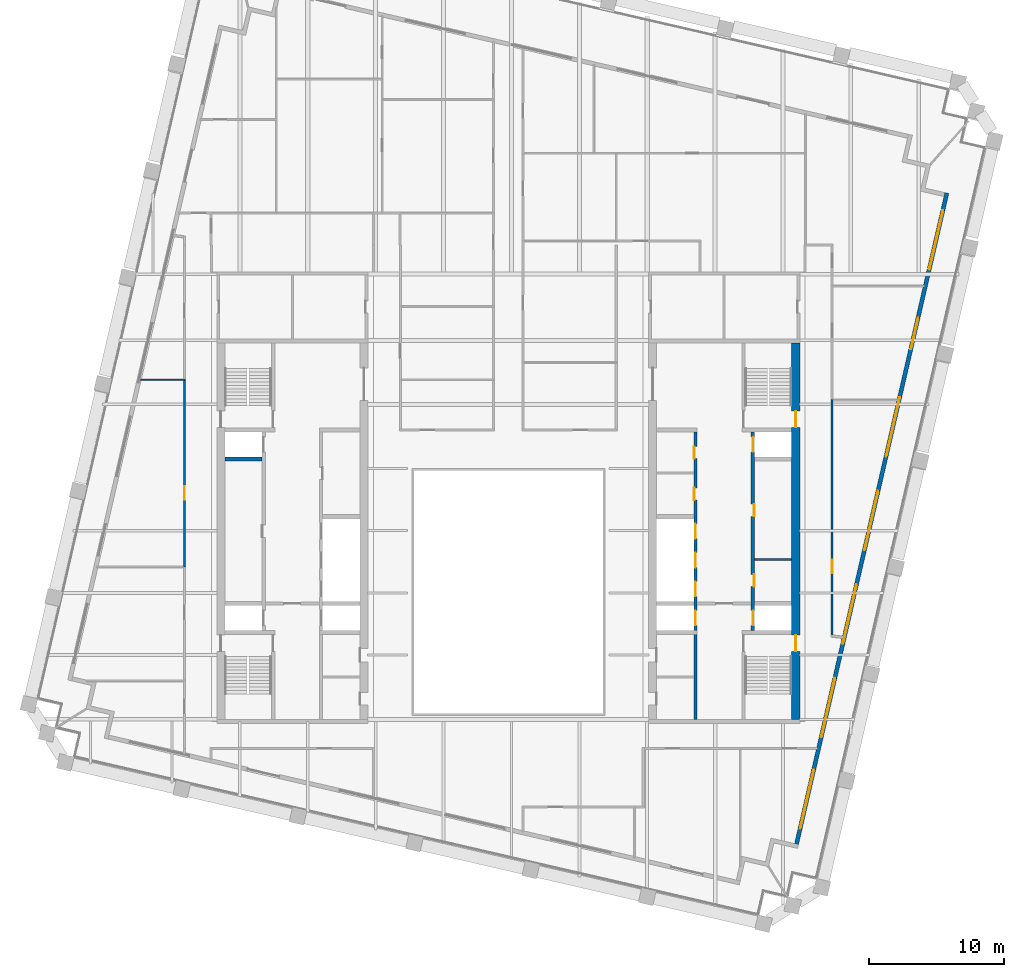
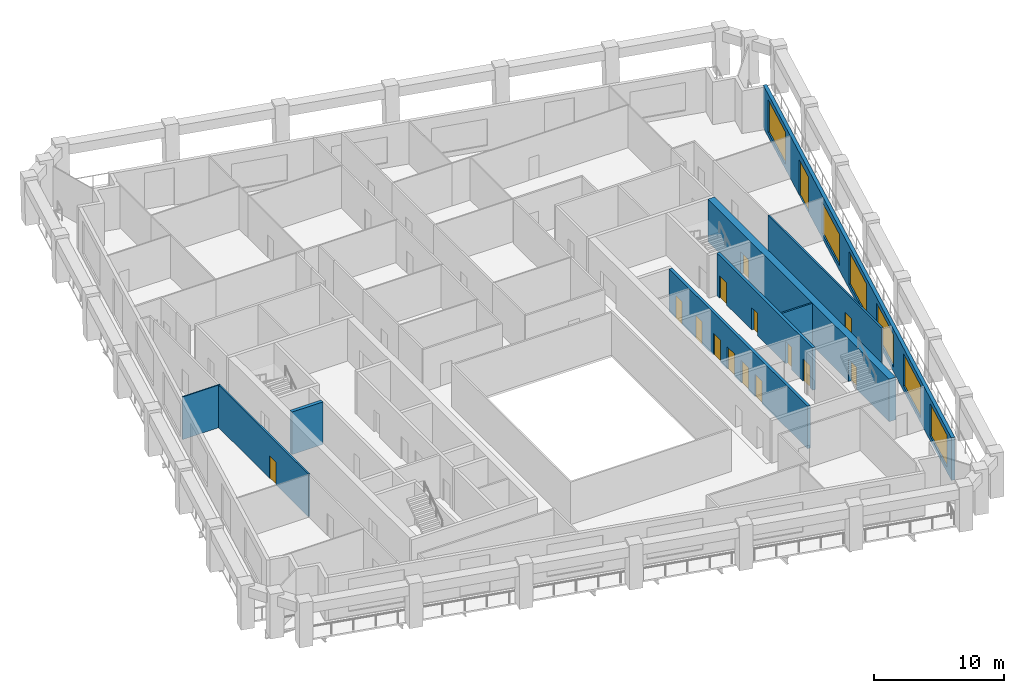
# One storey, part 6 of 11: 15 doors, 9 walls, 6 windows, 21 openings.
"""IFC4 building model written with IfcOpenShell, lengths in metres."""

from ifc_helpers import new_model, si_unit, direction, frame, frame_2d, origin, place, context, subcontext, project, spatial, rectangle, extrude, material, layer, layer_set, type_object, element, fill, save


model = new_model("IFC4")

# Units and contexts
model_context = context("Model", 3, precision=1e-05, world=origin(), true_north=direction((0.0, 1.0)))
body_context = subcontext(model_context, "Body", "Model", "MODEL_VIEW")
ifc_project = project(units=[si_unit("LENGTHUNIT", "METRE"), si_unit("AREAUNIT", "SQUARE_METRE"), si_unit("VOLUMEUNIT", "CUBIC_METRE"), si_unit("PLANEANGLEUNIT", "RADIAN"), si_unit("MASSUNIT", "GRAM", prefix="KILO")], contexts=[model_context])

# Site, building, storey
site_placement = place(None, origin())
site = spatial("IfcSite", under=ifc_project, at=site_placement, CompositionType="ELEMENT")
building_placement = place(site_placement, origin())
building = spatial("IfcBuilding", under=site, at=building_placement, Name="Ogive Exchange Tower", CompositionType="ELEMENT")
storey_placement = place(building_placement, frame((0.0, 0.0, 259.800048828125)))
storey = spatial("IfcBuildingStorey", under=building, at=storey_placement, Name="L56", CompositionType="ELEMENT", Elevation=259.800048828125)

# Wall
ifc_material_1 = material(Name="Gypsum board partition")
ifc_layer_1 = layer(ifc_material_1, 0.14990234375)
ifc_layer_set_1 = layer_set([ifc_layer_1], Name="Core room partition 150 gypsum")
wall_type_1 = type_object("IfcWallType", Name="Core room partition 150 gypsum", PredefinedType="PARTITIONING", material=ifc_layer_set_1)
wall_1_placement = place(storey_placement, frame((18.25, 9.39990234375, 0.0), z_axis=(0.0, 0.0, 1.0), x_axis=(1.0, 0.0, 0.0)))
element("IfcWall", 1, at=wall_1_placement, inside=storey, type_object=wall_type_1, Name="E row A bay partition 1-1", PredefinedType="PARTITIONING", context=body_context, shape_type="SweptSolid", body=[
    extrude(rectangle(XDim=2.75, YDim=0.14990234375, at=frame_2d((1.375, 0.0))), origin(), (0.0, 0.0, 1.0), 4.0),
])

# Wall, opening, door
ifc_material_2 = material(Name="Fire partition EI 60 150")
ifc_layer_2 = layer(ifc_material_2, 0.14990234375)
ifc_layer_set_2 = layer_set([ifc_layer_2], Name="Fire partition EI 60 150")
wall_type_2 = type_object("IfcWallType", Name="Fire partition EI 60 150", PredefinedType="PARTITIONING", material=ifc_layer_set_2)
wall_2_placement = place(storey_placement, frame((-24.0, 8.860107421875, 0.0), z_axis=(0.0, 0.0, 1.0), x_axis=(0.0, 1.0, 0.0)))
wall_2 = element("IfcWall", 2, at=wall_2_placement, inside=storey, type_object=wall_type_2, Name="L56-PWL-007", PredefinedType="PARTITIONING", context=body_context, shape_type="SweptSolid", body=[
    extrude(rectangle(XDim=13.809814453125, YDim=0.14990234375, at=frame_2d((6.90478515625, 0.0))), origin(), (0.0, 0.0, 1.0), 4.0),
])
opening_1_placement = place(wall_2_placement, frame((4.9599609375, 0.0, 0.0)))
opening_1 = element("IfcOpeningElement", 3, at=opening_1_placement, cuts=wall_2, Name="Opening L56-I01", PredefinedType="OPENING", context=body_context, shape_type="SweptSolid", body=[
    extrude(rectangle(XDim=1.0, YDim=2.10009765625, at=frame_2d((0.5, 1.050048828125))), frame((0.0, 0.0849609375, 0.0), z_axis=(0.0, -1.0, 0.0), x_axis=(1.0, 0.0, 0.0)), (0.0, 0.0, 1.0), 0.169921875),
])
ifc_material_3 = material(Name="Fire door FD 30S 1000 x 2100")
door_type_1 = type_object("IfcDoorType", Name="Fire door FD 30S 1000 x 2100", OperationType="NOTDEFINED", PredefinedType="DOOR", material=ifc_material_3)
door_1_placement = place(opening_1_placement, origin())
door_1 = element("IfcDoor", 4, at=door_1_placement, inside=storey, type_object=door_type_1, Name="L56-IDR-001", ObjectType="DT3", OperationType="SINGLE_SWING_RIGHT", OverallHeight=2.10009765625, OverallWidth=1.0, PredefinedType="DOOR", context=body_context, shape_type="SweptSolid", body=[
    extrude(rectangle(XDim=1.0, YDim=2.10009765625, at=frame_2d((0.5, 1.050048828125))), frame((0.0, 0.02490234375, 0.0), z_axis=(0.0, -1.0, 0.0), x_axis=(1.0, 0.0, 0.0)), (0.0, 0.0, 1.0), 0.050048828125),
])
fill(opening_1, door_1)

wall_3_placement = place(storey_placement, frame((24.0, 21.260009765625, 0.0), z_axis=(0.0, 0.0, 1.0), x_axis=(0.0, -1.0, 0.0)))
wall_3 = element("IfcWall", 5, at=wall_3_placement, inside=storey, type_object=wall_type_2, Name="L56-PWL-074", PredefinedType="PARTITIONING", context=body_context, shape_type="SweptSolid", body=[
    extrude(rectangle(XDim=17.455078125, YDim=0.14990234375, at=frame_2d((8.7275390625, 0.0))), origin(), (0.0, 0.0, 1.0), 4.0),
])
opening_2_placement = place(wall_3_placement, frame((11.8798828125, 0.0, 0.0)))
opening_2 = element("IfcOpeningElement", 6, at=opening_2_placement, cuts=wall_3, Name="Opening L56-I22", PredefinedType="OPENING", context=body_context, shape_type="SweptSolid", body=[
    extrude(rectangle(XDim=1.0, YDim=2.10009765625, at=frame_2d((0.5, 1.050048828125))), frame((0.0, 0.0849609375, 0.0), z_axis=(0.0, -1.0, 0.0), x_axis=(1.0, 0.0, 0.0)), (0.0, 0.0, 1.0), 0.169921875),
])
door_2_placement = place(opening_2_placement, origin())
door_2 = element("IfcDoor", 7, at=door_2_placement, inside=storey, type_object=door_type_1, Name="L56-IDR-022", ObjectType="DT3", OperationType="SINGLE_SWING_RIGHT", OverallHeight=2.10009765625, OverallWidth=1.0, PredefinedType="DOOR", context=body_context, shape_type="SweptSolid", body=[
    extrude(rectangle(XDim=1.0, YDim=2.10009765625, at=frame_2d((0.5, 1.050048828125))), frame((0.0, 0.02490234375, 0.0), z_axis=(0.0, -1.0, 0.0), x_axis=(1.0, 0.0, 0.0)), (0.0, 0.0, 1.0), 0.050048828125),
])
fill(opening_2, door_2)

# Wall, openings, door, windows
ifc_material_4 = material(Name="Precast concrete C40/50", Category="concrete")
ifc_layer_3 = layer(ifc_material_4, 0.300048828125)
ifc_layer_set_3 = layer_set([ifc_layer_3], Name="Limestone-faced wall 300")
wall_type_3 = type_object("IfcWallType", Name="Limestone-faced wall 300", PredefinedType="STANDARD", material=ifc_layer_set_3)
wall_4_placement = place(storey_placement, frame((21.35888671875, -11.67822265625, 0.0), z_axis=(0.0, 0.0, 1.0), x_axis=(0.224949198343, 0.974370493275, 0.0)))
wall_4 = element("IfcWall", 8, at=wall_4_placement, inside=storey, type_object=wall_type_3, Name="External wall E2", PredefinedType="STANDARD", context=body_context, shape_type="SweptSolid", body=[
    extrude(rectangle(XDim=49.5, YDim=0.300048828125, at=frame_2d((24.75, 0.0))), origin(), (0.0, 0.0, 1.0), 4.0),
])
opening_3_placement = place(wall_4_placement, frame((1.156982421875, 0.0, 0.449951171875)))
opening_3 = element("IfcOpeningElement", 9, at=opening_3_placement, cuts=wall_4, Name="Opening W1", PredefinedType="OPENING", context=body_context, shape_type="SweptSolid", body=[
    extrude(rectangle(XDim=4.5, YDim=3.050048828125, at=frame_2d((2.25, 1.52490234375))), frame((0.0, 0.159912109375, 0.0), z_axis=(0.0, -1.0, 0.0), x_axis=(1.0, 0.0, 0.0)), (0.0, 0.0, 1.0), 0.320068359375),
])
opening_4_placement = place(wall_4_placement, frame((8.121337890625, 0.0, 0.449951171875)))
opening_4 = element("IfcOpeningElement", 10, at=opening_4_placement, cuts=wall_4, Name="Opening W1", PredefinedType="OPENING", context=body_context, shape_type="SweptSolid", body=[
    extrude(rectangle(XDim=4.5, YDim=3.050048828125, at=frame_2d((2.25, 1.52490234375))), frame((0.0, 0.159912109375, 0.0), z_axis=(0.0, -1.0, 0.0), x_axis=(1.0, 0.0, 0.0)), (0.0, 0.0, 1.0), 0.320068359375),
])
opening_5_placement = place(wall_4_placement, frame((15.235595703125, 0.0, 0.449951171875)))
opening_5 = element("IfcOpeningElement", 11, at=opening_5_placement, cuts=wall_4, Name="Opening W1", PredefinedType="OPENING", context=body_context, shape_type="SweptSolid", body=[
    extrude(rectangle(XDim=4.5, YDim=3.050048828125, at=frame_2d((2.25, 1.52490234375))), frame((0.0, 0.159912109375, 0.0), z_axis=(0.0, -1.0, 0.0), x_axis=(1.0, 0.0, 0.0)), (0.0, 0.0, 1.0), 0.320068359375),
])
opening_6_placement = place(wall_4_placement, frame((22.35009765625, 0.0, 0.449951171875)))
opening_6 = element("IfcOpeningElement", 12, at=opening_6_placement, cuts=wall_4, Name="Opening W1", PredefinedType="OPENING", context=body_context, shape_type="SweptSolid", body=[
    extrude(rectangle(XDim=4.5, YDim=3.050048828125, at=frame_2d((2.25, 1.52490234375))), frame((0.0, 0.159912109375, 0.0), z_axis=(0.0, -1.0, 0.0), x_axis=(1.0, 0.0, 0.0)), (0.0, 0.0, 1.0), 0.320068359375),
])
opening_7_placement = place(wall_4_placement, frame((29.464111328125, 0.0, 0.449951171875)))
opening_7 = element("IfcOpeningElement", 13, at=opening_7_placement, cuts=wall_4, Name="Opening W1B", PredefinedType="OPENING", context=body_context, shape_type="SweptSolid", body=[
    extrude(rectangle(XDim=4.5, YDim=2.949951171875, at=frame_2d((2.25, 1.47509765625))), frame((0.0, 0.159912109375, 0.0), z_axis=(0.0, -1.0, 0.0), x_axis=(1.0, 0.0, 0.0)), (0.0, 0.0, 1.0), 0.320068359375),
])
opening_8_placement = place(wall_4_placement, frame((37.62841796875, 0.0, 0.0)))
opening_8 = element("IfcOpeningElement", 14, at=opening_8_placement, cuts=wall_4, Name="Opening D1C", PredefinedType="OPENING", context=body_context, shape_type="SweptSolid", body=[
    extrude(rectangle(XDim=2.39990234375, YDim=3.324951171875, at=frame_2d((1.199951171875, 1.66259765625))), frame((0.0, 0.159912109375, 0.0), z_axis=(0.0, -1.0, 0.0), x_axis=(1.0, 0.0, 0.0)), (0.0, 0.0, 1.0), 0.320068359375),
])
opening_9_placement = place(wall_4_placement, frame((43.69287109375, 0.0, 0.449951171875)))
opening_9 = element("IfcOpeningElement", 15, at=opening_9_placement, cuts=wall_4, Name="Opening W1", PredefinedType="OPENING", context=body_context, shape_type="SweptSolid", body=[
    extrude(rectangle(XDim=4.5, YDim=3.050048828125, at=frame_2d((2.25, 1.52490234375))), frame((0.0, 0.159912109375, 0.0), z_axis=(0.0, -1.0, 0.0), x_axis=(1.0, 0.0, 0.0)), (0.0, 0.0, 1.0), 0.320068359375),
])
ifc_material_5 = material(Name="Clear glass in bronze frame", Category="glass")
door_type_2 = type_object("IfcDoorType", Name="Sliding loggia door 2400 x 3325", OperationType="DOUBLE_DOOR_SLIDING", PredefinedType="DOOR", material=ifc_material_5)
door_3_placement = place(opening_8_placement, origin())
door_3 = element("IfcDoor", 16, at=door_3_placement, inside=storey, type_object=door_type_2, Name="Loggia door E05", OperationType="DOUBLE_DOOR_SLIDING", OverallHeight=3.324951171875, OverallWidth=2.39990234375, PredefinedType="DOOR", context=body_context, shape_type="SweptSolid", body=[
    extrude(rectangle(XDim=2.39990234375, YDim=3.324951171875, at=frame_2d((1.199951171875, 1.66259765625))), frame((0.0, 0.02490234375, 0.0), z_axis=(0.0, -1.0, 0.0), x_axis=(1.0, 0.0, 0.0)), (0.0, 0.0, 1.0), 0.050048828125),
])
fill(opening_8, door_3)
window_type_1 = type_object("IfcWindowType", Name="Twin lancet window 4500 x 2950", PartitioningType="DOUBLE_PANEL_VERTICAL", PredefinedType="WINDOW", material=ifc_material_5)
window_1_placement = place(opening_7_placement, origin())
window_1 = element("IfcWindow", 17, at=window_1_placement, inside=storey, type_object=window_type_1, Name="Window E04", OverallHeight=2.949951171875, OverallWidth=4.5, PartitioningType="DOUBLE_PANEL_VERTICAL", PredefinedType="WINDOW", context=body_context, shape_type="SweptSolid", body=[
    extrude(rectangle(XDim=4.5, YDim=2.949951171875, at=frame_2d((2.25, 1.47509765625))), frame((0.0, 0.030029296875, 0.0), z_axis=(0.0, -1.0, 0.0), x_axis=(1.0, 0.0, 0.0)), (0.0, 0.0, 1.0), 0.06005859375),
])
fill(opening_7, window_1)
window_type_2 = type_object("IfcWindowType", Name="Twin lancet window 4500 x 3050", PartitioningType="DOUBLE_PANEL_VERTICAL", PredefinedType="WINDOW", material=ifc_material_5)
window_2_placement = place(opening_3_placement, origin())
window_2 = element("IfcWindow", 18, at=window_2_placement, inside=storey, type_object=window_type_2, Name="Window E00", OverallHeight=3.050048828125, OverallWidth=4.5, PartitioningType="DOUBLE_PANEL_VERTICAL", PredefinedType="WINDOW", context=body_context, shape_type="SweptSolid", body=[
    extrude(rectangle(XDim=4.5, YDim=3.050048828125, at=frame_2d((2.25, 1.52490234375))), frame((0.0, 0.030029296875, 0.0), z_axis=(0.0, -1.0, 0.0), x_axis=(1.0, 0.0, 0.0)), (0.0, 0.0, 1.0), 0.06005859375),
])
fill(opening_3, window_2)
window_3_placement = place(opening_4_placement, origin())
window_3 = element("IfcWindow", 19, at=window_3_placement, inside=storey, type_object=window_type_2, Name="Window E01", OverallHeight=3.050048828125, OverallWidth=4.5, PartitioningType="DOUBLE_PANEL_VERTICAL", PredefinedType="WINDOW", context=body_context, shape_type="SweptSolid", body=[
    extrude(rectangle(XDim=4.5, YDim=3.050048828125, at=frame_2d((2.25, 1.52490234375))), frame((0.0, 0.030029296875, 0.0), z_axis=(0.0, -1.0, 0.0), x_axis=(1.0, 0.0, 0.0)), (0.0, 0.0, 1.0), 0.06005859375),
])
fill(opening_4, window_3)
window_4_placement = place(opening_5_placement, origin())
window_4 = element("IfcWindow", 20, at=window_4_placement, inside=storey, type_object=window_type_2, Name="Window E02", OverallHeight=3.050048828125, OverallWidth=4.5, PartitioningType="DOUBLE_PANEL_VERTICAL", PredefinedType="WINDOW", context=body_context, shape_type="SweptSolid", body=[
    extrude(rectangle(XDim=4.5, YDim=3.050048828125, at=frame_2d((2.25, 1.52490234375))), frame((0.0, 0.030029296875, 0.0), z_axis=(0.0, -1.0, 0.0), x_axis=(1.0, 0.0, 0.0)), (0.0, 0.0, 1.0), 0.06005859375),
])
fill(opening_5, window_4)
window_5_placement = place(opening_6_placement, origin())
window_5 = element("IfcWindow", 21, at=window_5_placement, inside=storey, type_object=window_type_2, Name="Window E03", OverallHeight=3.050048828125, OverallWidth=4.5, PartitioningType="DOUBLE_PANEL_VERTICAL", PredefinedType="WINDOW", context=body_context, shape_type="SweptSolid", body=[
    extrude(rectangle(XDim=4.5, YDim=3.050048828125, at=frame_2d((2.25, 1.52490234375))), frame((0.0, 0.030029296875, 0.0), z_axis=(0.0, -1.0, 0.0), x_axis=(1.0, 0.0, 0.0)), (0.0, 0.0, 1.0), 0.06005859375),
])
fill(opening_6, window_5)
window_6_placement = place(opening_9_placement, origin())
window_6 = element("IfcWindow", 22, at=window_6_placement, inside=storey, type_object=window_type_2, Name="Window E06", OverallHeight=3.050048828125, OverallWidth=4.5, PartitioningType="DOUBLE_PANEL_VERTICAL", PredefinedType="WINDOW", context=body_context, shape_type="SweptSolid", body=[
    extrude(rectangle(XDim=4.5, YDim=3.050048828125, at=frame_2d((2.25, 1.52490234375))), frame((0.0, 0.030029296875, 0.0), z_axis=(0.0, -1.0, 0.0), x_axis=(1.0, 0.0, 0.0)), (0.0, 0.0, 1.0), 0.06005859375),
])
fill(opening_9, window_6)

# Wall
ifc_material_6 = material(Name="Partition 100 gypsum")
ifc_layer_4 = layer(ifc_material_6, 0.10009765625)
ifc_layer_set_4 = layer_set([ifc_layer_4], Name="Partition 100 gypsum")
wall_type_4 = type_object("IfcWallType", Name="Partition 100 gypsum", PredefinedType="PARTITIONING", material=ifc_layer_set_4)
wall_5_placement = place(storey_placement, frame((-27.280029296875, 22.719970703125, 0.0), z_axis=(0.0, 0.0, 1.0), x_axis=(1.0, 0.0, 0.0)))
element("IfcWall", 23, at=wall_5_placement, inside=storey, type_object=wall_type_4, Name="L56-PWL-001", PredefinedType="PARTITIONING", context=body_context, shape_type="SweptSolid", body=[
    extrude(rectangle(XDim=3.35498046875, YDim=0.10009765625, at=frame_2d((1.677490234375, 0.0))), origin(), (0.0, 0.0, 1.0), 4.0),
])

# Wall, openings, doors
ifc_material_7 = material(Name="Concrete C70/85", Category="concrete")
ifc_layer_5 = layer(ifc_material_7, 0.25)
ifc_layer_set_5 = layer_set([ifc_layer_5], Name="RC core wall 250 C70/85")
wall_type_5 = type_object("IfcWallType", Name="RC core wall 250 C70/85", PredefinedType="SHEAR", material=ifc_layer_set_5)
wall_6_placement = place(storey_placement, frame((18.125, 4.14990234375, 0.0), z_axis=(0.0, 0.0, 1.0), x_axis=(0.0, 1.0, 0.0)))
wall_6 = element("IfcWall", 24, at=wall_6_placement, inside=storey, type_object=wall_type_5, Name="E row A front wall", PredefinedType="SHEAR", context=body_context, shape_type="SweptSolid", body=[
    extrude(rectangle(XDim=14.7001953125, YDim=0.25, at=frame_2d((7.35009765625, 0.0))), origin(), (0.0, 0.0, 1.0), 4.0),
])
opening_10_placement = place(wall_6_placement, frame((3.246337890625, 0.0, 0.0)))
opening_10 = element("IfcOpeningElement", 25, at=opening_10_placement, cuts=wall_6, Name="Opening L56-C19", PredefinedType="OPENING", context=body_context, shape_type="SweptSolid", body=[
    extrude(rectangle(XDim=0.89990234375, YDim=2.10009765625, at=frame_2d((0.449951171875, 1.050048828125))), frame((0.0, 0.135009765625, 0.0), z_axis=(0.0, -1.0, 0.0), x_axis=(1.0, 0.0, 0.0)), (0.0, 0.0, 1.0), 0.27001953125),
])
opening_11_placement = place(wall_6_placement, frame((8.45361328125, 0.0, 0.0)))
opening_11 = element("IfcOpeningElement", 26, at=opening_11_placement, cuts=wall_6, Name="Opening L56-C20", PredefinedType="OPENING", context=body_context, shape_type="SweptSolid", body=[
    extrude(rectangle(XDim=0.89990234375, YDim=2.10009765625, at=frame_2d((0.449951171875, 1.050048828125))), frame((0.0, 0.135009765625, 0.0), z_axis=(0.0, -1.0, 0.0), x_axis=(1.0, 0.0, 0.0)), (0.0, 0.0, 1.0), 0.27001953125),
])
opening_12_placement = place(wall_6_placement, frame((0.371337890625, 0.0, 0.0)))
opening_12 = element("IfcOpeningElement", 27, at=opening_12_placement, cuts=wall_6, Name="Opening L56-C21", PredefinedType="OPENING", context=body_context, shape_type="SweptSolid", body=[
    extrude(rectangle(XDim=1.10009765625, YDim=2.10009765625, at=frame_2d((0.550048828125, 1.050048828125))), frame((0.0, 0.135009765625, 0.0), z_axis=(0.0, -1.0, 0.0), x_axis=(1.0, 0.0, 0.0)), (0.0, 0.0, 1.0), 0.27001953125),
])
opening_13_placement = place(wall_6_placement, frame((13.228515625, 0.0, 0.0)))
opening_13 = element("IfcOpeningElement", 28, at=opening_13_placement, cuts=wall_6, Name="Opening L56-C22", PredefinedType="OPENING", context=body_context, shape_type="SweptSolid", body=[
    extrude(rectangle(XDim=1.10009765625, YDim=2.10009765625, at=frame_2d((0.550048828125, 1.050048828125))), frame((0.0, 0.135009765625, 0.0), z_axis=(0.0, -1.0, 0.0), x_axis=(1.0, 0.0, 0.0)), (0.0, 0.0, 1.0), 0.27001953125),
])
ifc_material_8 = material(Name="Timber fire door", Category="wood")
door_type_3 = type_object("IfcDoorType", Name="Core room door FD30S 900 x 2100", OperationType="NOTDEFINED", PredefinedType="DOOR", material=ifc_material_8)
door_4_placement = place(opening_11_placement, frame((0.89990234375, -0.2001953125, 0.0), z_axis=(0.0, 0.0, 1.0), x_axis=(-1.0, 0.0, 0.0)))
door_4 = element("IfcDoor", 29, at=door_4_placement, inside=storey, type_object=door_type_3, Name="Core room door", ObjectType="CD6", OperationType="SINGLE_SWING_LEFT", OverallHeight=2.10009765625, OverallWidth=0.89990234375, PredefinedType="DOOR", context=body_context, shape_type="SweptSolid", body=[
    extrude(rectangle(XDim=0.89990234375, YDim=2.10009765625, at=frame_2d((0.449951171875, 1.050048828125))), frame((0.0, -0.0751953125, 0.0), z_axis=(0.0, -1.0, 0.0), x_axis=(1.0, 0.0, 0.0)), (0.0, 0.0, 1.0), 0.050048828125),
])
fill(opening_11, door_4)
ifc_material_9 = material(Name="Stainless steel", Category="steel")
door_type_4 = type_object("IfcDoorType", Name="Lift landing door FD90 1100 x 2100", OperationType="SLIDING_TO_LEFT", PredefinedType="DOOR", material=ifc_material_9)
door_5_placement = place(opening_12_placement, origin())
door_5 = element("IfcDoor", 30, at=door_5_placement, inside=storey, type_object=door_type_4, Name="Lift landing door FF2", ObjectType="LD", OperationType="SLIDING_TO_LEFT", OverallHeight=2.10009765625, OverallWidth=1.10009765625, PredefinedType="DOOR", context=body_context, shape_type="SweptSolid", body=[
    extrude(rectangle(XDim=1.10009765625, YDim=2.10009765625, at=frame_2d((0.550048828125, 1.050048828125))), frame((0.0, 0.02490234375, 0.0), z_axis=(0.0, -1.0, 0.0), x_axis=(1.0, 0.0, 0.0)), (0.0, 0.0, 1.0), 0.050048828125),
])
fill(opening_12, door_5)
door_6_placement = place(opening_13_placement, origin())
door_6 = element("IfcDoor", 31, at=door_6_placement, inside=storey, type_object=door_type_4, Name="Lift landing door E-SH2", ObjectType="LD", OperationType="SLIDING_TO_LEFT", OverallHeight=2.10009765625, OverallWidth=1.10009765625, PredefinedType="DOOR", context=body_context, shape_type="SweptSolid", body=[
    extrude(rectangle(XDim=1.10009765625, YDim=2.10009765625, at=frame_2d((0.550048828125, 1.050048828125))), frame((0.0, 0.02490234375, 0.0), z_axis=(0.0, -1.0, 0.0), x_axis=(1.0, 0.0, 0.0)), (0.0, 0.0, 1.0), 0.050048828125),
])
fill(opening_13, door_6)
ifc_material_10 = material(Name="Steel fire door", Category="steel")
door_type_5 = type_object("IfcDoorType", Name="Riser door FD60 900 x 2100", OperationType="NOTDEFINED", PredefinedType="DOOR", material=ifc_material_10)
door_7_placement = place(opening_10_placement, frame((0.89990234375, -0.2001953125, 0.0), z_axis=(0.0, 0.0, 1.0), x_axis=(-1.0, 0.0, 0.0)))
door_7 = element("IfcDoor", 32, at=door_7_placement, inside=storey, type_object=door_type_5, Name="Riser door", ObjectType="CD2", OperationType="SINGLE_SWING_RIGHT", OverallHeight=2.10009765625, OverallWidth=0.89990234375, PredefinedType="DOOR", context=body_context, shape_type="SweptSolid", body=[
    extrude(rectangle(XDim=0.89990234375, YDim=2.10009765625, at=frame_2d((0.449951171875, 1.050048828125))), frame((0.0, -0.0751953125, 0.0), z_axis=(0.0, -1.0, 0.0), x_axis=(1.0, 0.0, 0.0)), (0.0, 0.0, 1.0), 0.050048828125),
])
fill(opening_10, door_7)

wall_7_placement = place(storey_placement, frame((13.875, -2.449951171875, 0.0), z_axis=(0.0, 0.0, 1.0), x_axis=(0.0, 1.0, 0.0)))
wall_7 = element("IfcWall", 33, at=wall_7_placement, inside=storey, type_object=wall_type_5, Name="E row B front wall", PredefinedType="SHEAR", context=body_context, shape_type="SweptSolid", body=[
    extrude(rectangle(XDim=21.300048828125, YDim=0.25, at=frame_2d((10.64990234375, 0.0))), origin(), (0.0, 0.0, 1.0), 4.0),
])
opening_14_placement = place(wall_7_placement, frame((16.2607421875, 0.0, 0.0)))
opening_14 = element("IfcOpeningElement", 34, at=opening_14_placement, cuts=wall_7, Name="Opening L56-C23", PredefinedType="OPENING", context=body_context, shape_type="SweptSolid", body=[
    extrude(rectangle(XDim=0.89990234375, YDim=2.10009765625, at=frame_2d((0.449951171875, 1.050048828125))), frame((0.0, 0.135009765625, 0.0), z_axis=(0.0, -1.0, 0.0), x_axis=(1.0, 0.0, 0.0)), (0.0, 0.0, 1.0), 0.27001953125),
])
opening_15_placement = place(wall_7_placement, frame((19.324951171875, 0.0, 0.0)))
opening_15 = element("IfcOpeningElement", 35, at=opening_15_placement, cuts=wall_7, Name="Opening L56-C24", PredefinedType="OPENING", context=body_context, shape_type="SweptSolid", body=[
    extrude(rectangle(XDim=0.89990234375, YDim=2.10009765625, at=frame_2d((0.449951171875, 1.050048828125))), frame((0.0, 0.135009765625, 0.0), z_axis=(0.0, -1.0, 0.0), x_axis=(1.0, 0.0, 0.0)), (0.0, 0.0, 1.0), 0.27001953125),
])
opening_16_placement = place(wall_7_placement, frame((6.971435546875, 0.0, 0.0)))
opening_16 = element("IfcOpeningElement", 36, at=opening_16_placement, cuts=wall_7, Name="Opening L56-C25", PredefinedType="OPENING", context=body_context, shape_type="SweptSolid", body=[
    extrude(rectangle(XDim=1.10009765625, YDim=2.10009765625, at=frame_2d((0.550048828125, 1.050048828125))), frame((0.0, 0.135009765625, 0.0), z_axis=(0.0, -1.0, 0.0), x_axis=(1.0, 0.0, 0.0)), (0.0, 0.0, 1.0), 0.27001953125),
])
opening_17_placement = place(wall_7_placement, frame((9.1142578125, 0.0, 0.0)))
opening_17 = element("IfcOpeningElement", 37, at=opening_17_placement, cuts=wall_7, Name="Opening L56-C26", PredefinedType="OPENING", context=body_context, shape_type="SweptSolid", body=[
    extrude(rectangle(XDim=1.10009765625, YDim=2.10009765625, at=frame_2d((0.550048828125, 1.050048828125))), frame((0.0, 0.135009765625, 0.0), z_axis=(0.0, -1.0, 0.0), x_axis=(1.0, 0.0, 0.0)), (0.0, 0.0, 1.0), 0.27001953125),
])
opening_18_placement = place(wall_7_placement, frame((11.257080078125, 0.0, 0.0)))
opening_18 = element("IfcOpeningElement", 38, at=opening_18_placement, cuts=wall_7, Name="Opening L56-C27", PredefinedType="OPENING", context=body_context, shape_type="SweptSolid", body=[
    extrude(rectangle(XDim=1.10009765625, YDim=2.10009765625, at=frame_2d((0.550048828125, 1.050048828125))), frame((0.0, 0.135009765625, 0.0), z_axis=(0.0, -1.0, 0.0), x_axis=(1.0, 0.0, 0.0)), (0.0, 0.0, 1.0), 0.27001953125),
])
opening_19_placement = place(wall_7_placement, frame((13.39990234375, 0.0, 0.0)))
opening_19 = element("IfcOpeningElement", 39, at=opening_19_placement, cuts=wall_7, Name="Opening L56-C28", PredefinedType="OPENING", context=body_context, shape_type="SweptSolid", body=[
    extrude(rectangle(XDim=1.10009765625, YDim=2.10009765625, at=frame_2d((0.550048828125, 1.050048828125))), frame((0.0, 0.135009765625, 0.0), z_axis=(0.0, -1.0, 0.0), x_axis=(1.0, 0.0, 0.0)), (0.0, 0.0, 1.0), 0.27001953125),
])
door_8_placement = place(opening_14_placement, origin())
door_8 = element("IfcDoor", 40, at=door_8_placement, inside=storey, type_object=door_type_3, Name="Core room door", ObjectType="CD6", OperationType="SINGLE_SWING_RIGHT", OverallHeight=2.10009765625, OverallWidth=0.89990234375, PredefinedType="DOOR", context=body_context, shape_type="SweptSolid", body=[
    extrude(rectangle(XDim=0.89990234375, YDim=2.10009765625, at=frame_2d((0.449951171875, 1.050048828125))), frame((0.0, 0.125, 0.0), z_axis=(0.0, -1.0, 0.0), x_axis=(1.0, 0.0, 0.0)), (0.0, 0.0, 1.0), 0.050048828125),
])
fill(opening_14, door_8)
door_9_placement = place(opening_16_placement, origin())
door_9 = element("IfcDoor", 41, at=door_9_placement, inside=storey, type_object=door_type_4, Name="Lift landing door SV2", ObjectType="LD", OperationType="SLIDING_TO_LEFT", OverallHeight=2.10009765625, OverallWidth=1.10009765625, PredefinedType="DOOR", context=body_context, shape_type="SweptSolid", body=[
    extrude(rectangle(XDim=1.10009765625, YDim=2.10009765625, at=frame_2d((0.550048828125, 1.050048828125))), frame((0.0, 0.02490234375, 0.0), z_axis=(0.0, -1.0, 0.0), x_axis=(1.0, 0.0, 0.0)), (0.0, 0.0, 1.0), 0.050048828125),
])
fill(opening_16, door_9)
door_10_placement = place(opening_17_placement, origin())
door_10 = element("IfcDoor", 42, at=door_10_placement, inside=storey, type_object=door_type_4, Name="Lift landing door E-M1", ObjectType="LD", OperationType="SLIDING_TO_LEFT", OverallHeight=2.10009765625, OverallWidth=1.10009765625, PredefinedType="DOOR", context=body_context, shape_type="SweptSolid", body=[
    extrude(rectangle(XDim=1.10009765625, YDim=2.10009765625, at=frame_2d((0.550048828125, 1.050048828125))), frame((0.0, 0.02490234375, 0.0), z_axis=(0.0, -1.0, 0.0), x_axis=(1.0, 0.0, 0.0)), (0.0, 0.0, 1.0), 0.050048828125),
])
fill(opening_17, door_10)
door_11_placement = place(opening_18_placement, origin())
door_11 = element("IfcDoor", 43, at=door_11_placement, inside=storey, type_object=door_type_4, Name="Lift landing door E-M2", ObjectType="LD", OperationType="SLIDING_TO_LEFT", OverallHeight=2.10009765625, OverallWidth=1.10009765625, PredefinedType="DOOR", context=body_context, shape_type="SweptSolid", body=[
    extrude(rectangle(XDim=1.10009765625, YDim=2.10009765625, at=frame_2d((0.550048828125, 1.050048828125))), frame((0.0, 0.02490234375, 0.0), z_axis=(0.0, -1.0, 0.0), x_axis=(1.0, 0.0, 0.0)), (0.0, 0.0, 1.0), 0.050048828125),
])
fill(opening_18, door_11)
door_12_placement = place(opening_19_placement, origin())
door_12 = element("IfcDoor", 44, at=door_12_placement, inside=storey, type_object=door_type_4, Name="Lift landing door E-M3", ObjectType="LD", OperationType="SLIDING_TO_LEFT", OverallHeight=2.10009765625, OverallWidth=1.10009765625, PredefinedType="DOOR", context=body_context, shape_type="SweptSolid", body=[
    extrude(rectangle(XDim=1.10009765625, YDim=2.10009765625, at=frame_2d((0.550048828125, 1.050048828125))), frame((0.0, 0.02490234375, 0.0), z_axis=(0.0, -1.0, 0.0), x_axis=(1.0, 0.0, 0.0)), (0.0, 0.0, 1.0), 0.050048828125),
])
fill(opening_19, door_12)
door_13_placement = place(opening_15_placement, origin())
door_13 = element("IfcDoor", 45, at=door_13_placement, inside=storey, type_object=door_type_5, Name="Riser door", ObjectType="CD2", OperationType="SINGLE_SWING_LEFT", OverallHeight=2.10009765625, OverallWidth=0.89990234375, PredefinedType="DOOR", context=body_context, shape_type="SweptSolid", body=[
    extrude(rectangle(XDim=0.89990234375, YDim=2.10009765625, at=frame_2d((0.449951171875, 1.050048828125))), frame((0.0, 0.125, 0.0), z_axis=(0.0, -1.0, 0.0), x_axis=(1.0, 0.0, 0.0)), (0.0, 0.0, 1.0), 0.050048828125),
])
fill(opening_15, door_13)

# Wall
ifc_layer_6 = layer(ifc_material_7, 0.300048828125)
ifc_layer_set_6 = layer_set([ifc_layer_6], Name="RC core wall 300 C70/85")
wall_type_6 = type_object("IfcWallType", Name="RC core wall 300 C70/85", PredefinedType="SHEAR", material=ifc_layer_set_6)
wall_8_placement = place(storey_placement, frame((-21.0, 16.857177734375, 0.0), z_axis=(0.0, 0.0, 1.0), x_axis=(1.0, 0.0, 0.0)))
element("IfcWall", 46, at=wall_8_placement, inside=storey, type_object=wall_type_6, Name="W row A divider 6", PredefinedType="SHEAR", context=body_context, shape_type="SweptSolid", body=[
    extrude(rectangle(XDim=2.75, YDim=0.300048828125, at=frame_2d((1.375, 0.0))), origin(), (0.0, 0.0, 1.0), 4.0),
])

# Wall, openings, doors
ifc_layer_7 = layer(ifc_material_7, 0.60009765625)
ifc_layer_set_7 = layer_set([ifc_layer_7], Name="RC core wall 600 C70/85")
wall_type_7 = type_object("IfcWallType", Name="RC core wall 600 C70/85", PredefinedType="SHEAR", material=ifc_layer_set_7)
wall_9_placement = place(storey_placement, frame((21.300048828125, -2.449951171875, 0.0), z_axis=(0.0, 0.0, 1.0), x_axis=(0.0, 1.0, 0.0)))
wall_9 = element("IfcWall", 47, at=wall_9_placement, inside=storey, type_object=wall_type_7, Name="E outer wall", PredefinedType="SHEAR", context=body_context, shape_type="SweptSolid", body=[
    extrude(rectangle(XDim=27.89990234375, YDim=0.60009765625, at=frame_2d((13.949951171875, 0.0))), origin(), (0.0, 0.0, 1.0), 4.0),
])
opening_20_placement = place(wall_9_placement, frame((5.050048828125, 0.0, 0.0)))
opening_20 = element("IfcOpeningElement", 48, at=opening_20_placement, cuts=wall_9, Name="Opening L56-C32", PredefinedType="OPENING", context=body_context, shape_type="SweptSolid", body=[
    extrude(rectangle(XDim=1.199951171875, YDim=2.10009765625, at=frame_2d((0.60009765625, 1.050048828125))), frame((0.0, 0.31005859375, 0.0), z_axis=(0.0, -1.0, 0.0), x_axis=(1.0, 0.0, 0.0)), (0.0, 0.0, 1.0), 0.6201171875),
])
opening_21_placement = place(wall_9_placement, frame((21.64990234375, 0.0, 0.0)))
opening_21 = element("IfcOpeningElement", 49, at=opening_21_placement, cuts=wall_9, Name="Opening L56-C34", PredefinedType="OPENING", context=body_context, shape_type="SweptSolid", body=[
    extrude(rectangle(XDim=1.199951171875, YDim=2.10009765625, at=frame_2d((0.60009765625, 1.050048828125))), frame((0.0, 0.31005859375, 0.0), z_axis=(0.0, -1.0, 0.0), x_axis=(1.0, 0.0, 0.0)), (0.0, 0.0, 1.0), 0.6201171875),
])
door_type_6 = type_object("IfcDoorType", Name="Stair door FD90 1200 x 2100", OperationType="NOTDEFINED", PredefinedType="DOOR", material=ifc_material_10)
door_14_placement = place(opening_20_placement, frame((1.199951171875, 0.0, 0.0), z_axis=(0.0, 0.0, 1.0), x_axis=(-1.0, 0.0, 0.0)))
door_14 = element("IfcDoor", 50, at=door_14_placement, inside=storey, type_object=door_type_6, Name="Stair door", ObjectType="CD5", OperationType="SINGLE_SWING_RIGHT", OverallHeight=2.10009765625, OverallWidth=1.199951171875, PredefinedType="DOOR", context=body_context, shape_type="SweptSolid", body=[
    extrude(rectangle(XDim=1.199951171875, YDim=2.10009765625, at=frame_2d((0.60009765625, 1.050048828125))), frame((0.0, 0.02490234375, 0.0), z_axis=(0.0, -1.0, 0.0), x_axis=(1.0, 0.0, 0.0)), (0.0, 0.0, 1.0), 0.050048828125),
])
fill(opening_20, door_14)
door_15_placement = place(opening_21_placement, frame((1.199951171875, 0.0, 0.0), z_axis=(0.0, 0.0, 1.0), x_axis=(-1.0, 0.0, 0.0)))
door_15 = element("IfcDoor", 51, at=door_15_placement, inside=storey, type_object=door_type_6, Name="Stair door", ObjectType="CD5", OperationType="SINGLE_SWING_LEFT", OverallHeight=2.10009765625, OverallWidth=1.199951171875, PredefinedType="DOOR", context=body_context, shape_type="SweptSolid", body=[
    extrude(rectangle(XDim=1.199951171875, YDim=2.10009765625, at=frame_2d((0.60009765625, 1.050048828125))), frame((0.0, 0.02490234375, 0.0), z_axis=(0.0, -1.0, 0.0), x_axis=(1.0, 0.0, 0.0)), (0.0, 0.0, 1.0), 0.050048828125),
])
fill(opening_21, door_15)

save(model, "model.ifc")
